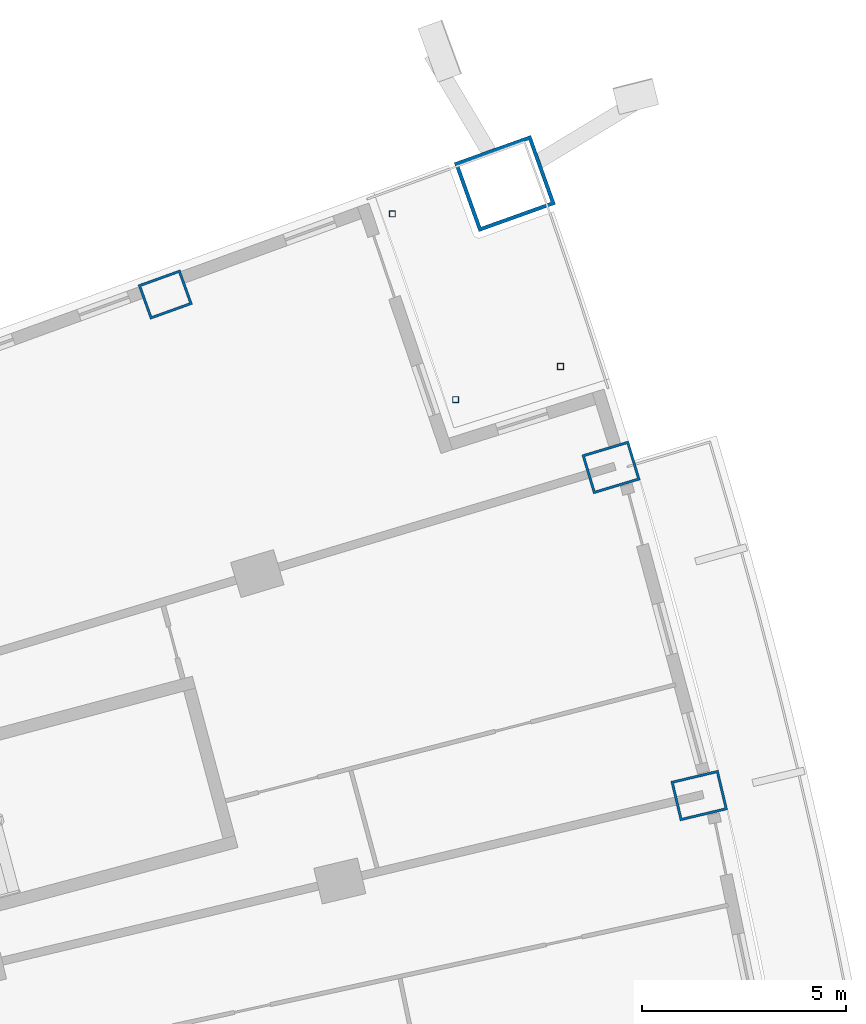
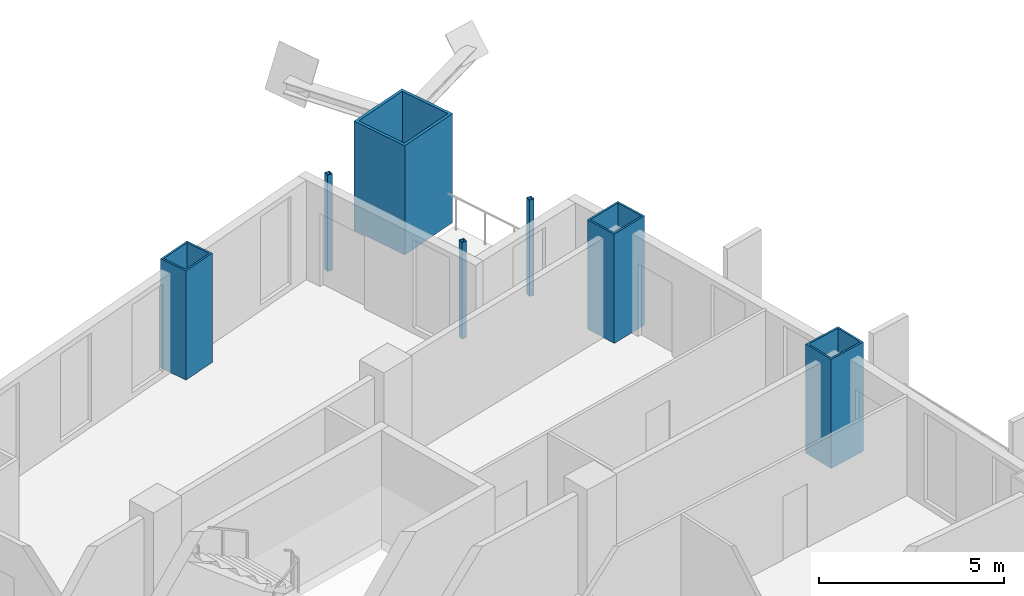
# One storey, part 8 of 22: 7 columns.
"""IFC4 building model written with IfcOpenShell, lengths in metres."""

from ifc_helpers import new_model, si_unit, direction, frame, origin, origin_2d, place, context, subcontext, project, spatial, hollow_rectangle, extrude, material, material_profile, profile_set, type_object, element, save


model = new_model("IFC4")

# Units and contexts
model_context = context("Model", 3, precision=1e-05, world=origin(), true_north=direction((0.0, 1.0)))
body_context = subcontext(model_context, "Body", "Model", "MODEL_VIEW")
ifc_project = project(units=[si_unit("LENGTHUNIT", "METRE"), si_unit("AREAUNIT", "SQUARE_METRE"), si_unit("VOLUMEUNIT", "CUBIC_METRE"), si_unit("PLANEANGLEUNIT", "RADIAN"), si_unit("MASSUNIT", "GRAM", prefix="KILO")], contexts=[model_context])

# Site, building, storey
site_placement = place(None, origin())
site = spatial("IfcSite", under=ifc_project, at=site_placement, CompositionType="ELEMENT")
building_placement = place(site_placement, origin())
building = spatial("IfcBuilding", under=site, at=building_placement, Name="Alderwake Tower", CompositionType="ELEMENT")
storey_placement = place(building_placement, frame((0.0, 0.0, 50.0)))
storey = spatial("IfcBuildingStorey", under=building, at=storey_placement, Name="L11", CompositionType="ELEMENT", Elevation=50.0)

# Columns
ifc_material_1 = material(Name="Steel ASTM A572 Grade 50 concrete filled C70/85", Category="concrete")
ifc_material_profile_1 = material_profile(ifc_material_1, hollow_rectangle(XDim=0.89990234375, YDim=1.10009765625, WallThickness=0.06005859375, at=origin_2d()), Name="BOX 1100X900X60")
ifc_profile_set_1 = profile_set([ifc_material_profile_1], Name="Steel ASTM A572 Grade 50 concrete filled C70/85")
column_type_1 = type_object("IfcColumnType", Name="End column Z1", PredefinedType="COLUMN", material=ifc_profile_set_1)
column_1_placement = place(storey_placement, frame((46.017822265625, 106.361328125, 0.0), z_axis=(0.0, 0.0, 1.0), x_axis=(-0.338687013201, 0.940899095062, 0.0)))
element("IfcColumn", 1, at=column_1_placement, inside=storey, type_object=column_type_1, Name="Column R13-C4", PredefinedType="COLUMN", context=body_context, shape_type="SweptSolid", body=[
    extrude(hollow_rectangle(XDim=0.89990234375, YDim=1.10009765625, WallThickness=0.06005859375, at=origin_2d()), origin(), (0.0, 0.0, 1.0), 3.60009765625),
])
ifc_material_2 = material(Name="Steel ASTM A500 Grade C", Category="steel")
ifc_material_profile_2 = material_profile(ifc_material_2, hollow_rectangle(XDim=0.15234375, YDim=0.15234375, WallThickness=0.0087890625, at=origin_2d()), Name="HSS6X6X3/8")
ifc_profile_set_2 = profile_set([ifc_material_profile_2], Name="Steel ASTM A500 Grade C")
column_type_2 = type_object("IfcColumnType", Name="Light post HSS6X6X3/8", PredefinedType="COLUMN", material=ifc_profile_set_2)
for number, where, z_axis, x_axis, name in (
    (2, (55.719970703125, 104.595947265625, 0.0), (0.0, 0.0, 1.0), (1.0, 0.0, 0.0), "Terrace post FN1"),
    (3, (51.5927734375, 108.34326171875, 0.0), (0.0, 0.0, 1.0), (1.0, 0.0, 0.0), "Terrace post FN2"),
    (4, (53.1455078125, 103.781982421875, 0.0), (0.0, 0.0, 1.0), (1.0, 0.0, 0.0), "Terrace post FN3"),
):
    element("IfcColumn", number, at=place(storey_placement, frame(where, z_axis=z_axis, x_axis=x_axis)), inside=storey, type_object=column_type_2, Name=name, PredefinedType="COLUMN", context=body_context, shape_type="SweptSolid", body=[
        extrude(hollow_rectangle(XDim=0.15234375, YDim=0.15234375, WallThickness=0.0087890625, at=origin_2d()), origin(), (0.0, 0.0, 1.0), 3.179931640625),
    ])
ifc_material_3 = material(Name="Steel ASTM A572 Grade 50 concrete filled C70/85", Category="concrete")
ifc_material_profile_3 = material_profile(ifc_material_3, hollow_rectangle(XDim=1.800048828125, YDim=2.0, WallThickness=0.090087890625, at=origin_2d()), Name="BOX 2000X1800X90")
ifc_profile_set_3 = profile_set([ifc_material_profile_3], Name="Steel ASTM A572 Grade 50 concrete filled C70/85")
column_type_3 = type_object("IfcColumnType", Name="Mega column Z1", PredefinedType="COLUMN", material=ifc_profile_set_3)
column_2_placement = place(storey_placement, frame((54.353759765625, 109.0869140625, 0.0), z_axis=(0.0, 0.0, 1.0), x_axis=(-0.336978590333, 0.941512309881, 0.0)))
element("IfcColumn", 5, at=column_2_placement, inside=storey, type_object=column_type_3, Name="Column R13-C5", PredefinedType="COLUMN", context=body_context, shape_type="SweptSolid", body=[
    extrude(hollow_rectangle(XDim=1.800048828125, YDim=2.0, WallThickness=0.090087890625, at=origin_2d()), origin(), (0.0, 0.0, 1.0), 3.60009765625),
])
ifc_material_4 = material(Name="Steel ASTM A572 Grade 50 concrete filled C70/85", Category="concrete")
ifc_material_profile_4 = material_profile(ifc_material_4, hollow_rectangle(XDim=1.0, YDim=1.199951171875, WallThickness=0.06005859375, at=origin_2d()), Name="BOX 1200X1000X60")
ifc_profile_set_4 = profile_set([ifc_material_profile_4], Name="Steel ASTM A572 Grade 50 concrete filled C70/85")
column_type_4 = type_object("IfcColumnType", Name="Perimeter column Z1", PredefinedType="COLUMN", material=ifc_profile_set_4)
for number, where, z_axis, x_axis, name in (
    (6, (59.125, 94.064697265625, 0.0), (0.0, 0.0, 1.0), (-0.231221547198, 0.972901123502, 0.0), "Column R11-C5"),
    (7, (56.96044921875, 102.119384765625, 0.0), (0.0, 0.0, 1.0), (-0.287549418125, 0.957765802342, 0.0), "Column R12-C5"),
):
    element("IfcColumn", number, at=place(storey_placement, frame(where, z_axis=z_axis, x_axis=x_axis)), inside=storey, type_object=column_type_4, Name=name, PredefinedType="COLUMN", context=body_context, shape_type="SweptSolid", body=[
        extrude(hollow_rectangle(XDim=1.0, YDim=1.199951171875, WallThickness=0.06005859375, at=origin_2d()), origin(), (0.0, 0.0, 1.0), 3.60009765625),
    ])

save(model, "model.ifc")
